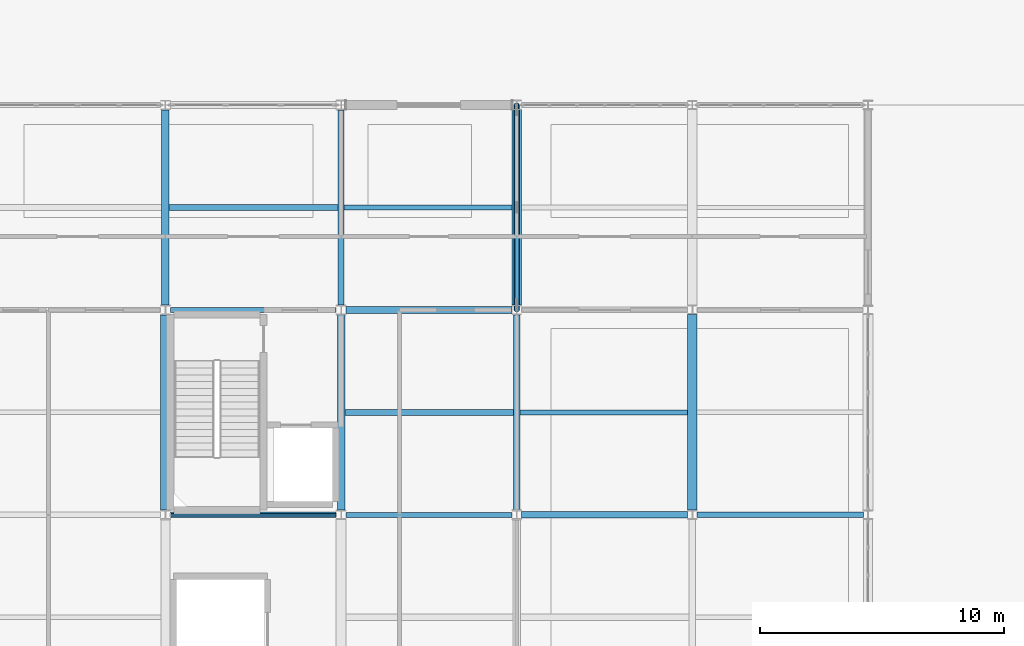
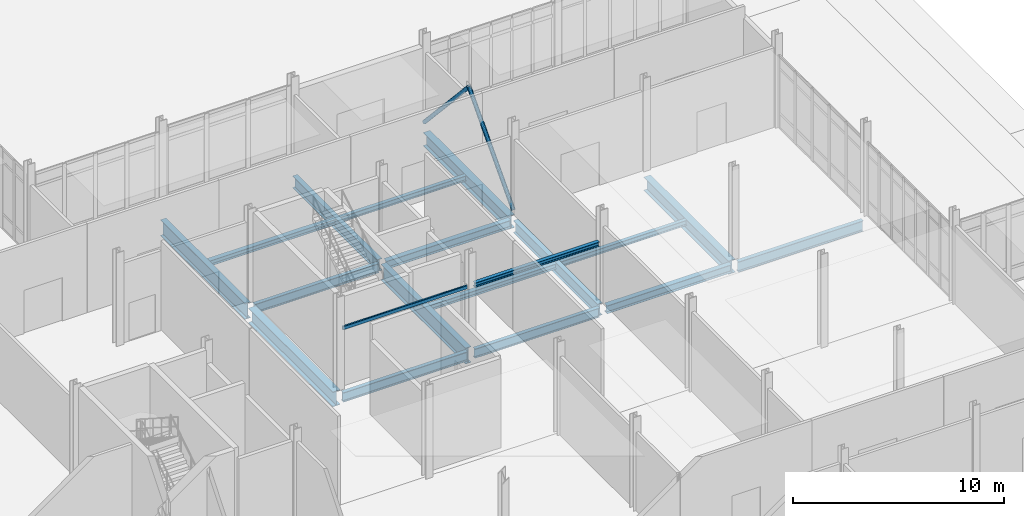
# One storey, part 123 of 229: 19 beams, 2 members.
"""IFC4 building model written with IfcOpenShell, lengths in metres."""

from ifc_helpers import new_model, si_unit, direction, frame, origin, origin_2d, place, context, subcontext, project, spatial, hollow_rectangle, hollow_circle, i_section, extrude, material, material_profile, profile_set, type_object, element, save


model = new_model("IFC4")

# Units and contexts
model_context = context("Model", 3, precision=1e-05, world=origin(), true_north=direction((0.0, 1.0)))
body_context = subcontext(model_context, "Body", "Model", "MODEL_VIEW")
ifc_project = project(units=[si_unit("LENGTHUNIT", "METRE"), si_unit("AREAUNIT", "SQUARE_METRE"), si_unit("VOLUMEUNIT", "CUBIC_METRE"), si_unit("PLANEANGLEUNIT", "RADIAN"), si_unit("MASSUNIT", "GRAM", prefix="KILO")], contexts=[model_context])

# Site, building, storey
site_placement = place(None, origin())
site = spatial("IfcSite", under=ifc_project, at=site_placement, CompositionType="ELEMENT")
building_placement = place(site_placement, origin())
building = spatial("IfcBuilding", under=site, at=building_placement, Name="Calvrana Isthmian Art Gallery", CompositionType="ELEMENT")
storey_placement = place(building_placement, origin())
storey = spatial("IfcBuildingStorey", under=building, at=storey_placement, Name="L00", CompositionType="ELEMENT", Elevation=0.0)

# Beams
ifc_material_1 = material(Name="Steel ASTM A992 Gr 50", Category="steel")
ifc_material_profile_1 = material_profile(ifc_material_1, i_section(OverallWidth=0.279052734375, OverallDepth=0.4619140625, WebThickness=0.0107421875, FlangeThickness=0.017333984375, FilletRadius=0.02001953125, at=origin_2d()), Name="W18X76")
ifc_profile_set_1 = profile_set([ifc_material_profile_1], Name="Steel ASTM A992 Gr 50")
beam_type_1 = type_object("IfcBeamType", Name="BM-G-W18X76", PredefinedType="BEAM", material=ifc_profile_set_1)
beam_1_placement = place(storey_placement, frame((141.802001953125, 30.0, -0.51611328125), z_axis=(1.0, 0.0, 0.0), x_axis=(0.0, 1.0, 0.0)))
element("IfcBeam", 1, at=beam_1_placement, inside=storey, type_object=beam_type_1, Name="Girder X L00 19-20/E", PredefinedType="BEAM", context=body_context, shape_type="SweptSolid", body=[
    extrude(i_section(OverallWidth=0.279052734375, OverallDepth=0.4619140625, WebThickness=0.0107421875, FlangeThickness=0.017333984375, FilletRadius=0.02001953125, at=origin_2d()), origin(), (0.0, 0.0, 1.0), 6.801025390625),
])
beam_2_placement = place(storey_placement, frame((134.599609375, 38.39990234375, -0.51611328125), z_axis=(1.0, 0.0, 0.0), x_axis=(0.0, 1.0, 0.0)))
element("IfcBeam", 2, at=beam_2_placement, inside=storey, type_object=beam_type_1, Name="Girder X L00 18-19/F", PredefinedType="BEAM", context=body_context, shape_type="SweptSolid", body=[
    extrude(i_section(OverallWidth=0.279052734375, OverallDepth=0.4619140625, WebThickness=0.0107421875, FlangeThickness=0.017333984375, FilletRadius=0.02001953125, at=origin_2d()), origin(), (0.0, 0.0, 1.0), 6.79736328125),
])
ifc_material_profile_2 = material_profile(ifc_material_1, i_section(OverallWidth=0.208984375, OverallDepth=0.532958984375, WebThickness=0.01025390625, FlangeThickness=0.015625, FilletRadius=0.02099609375, at=origin_2d()), Name="W21X62")
ifc_profile_set_2 = profile_set([ifc_material_profile_2], Name="Steel ASTM A992 Gr 50")
beam_type_2 = type_object("IfcBeamType", Name="BM-G-W21X62", PredefinedType="BEAM", material=ifc_profile_set_2)
for number, where, z_axis, x_axis, name in (
    (3, (134.599609375, 30.0, -0.551513671875), (1.0, 0.0, 0.0), (0.0, 1.0, 0.0), "Girder X L00 18-19/E"),
    (4, (127.402099609375, 38.39990234375, -0.551513671875), (1.0, 0.0, 0.0), (0.0, 1.0, 0.0), "Girder X L00 17-18/F"),
):
    element("IfcBeam", number, at=place(storey_placement, frame(where, z_axis=z_axis, x_axis=x_axis)), inside=storey, type_object=beam_type_2, Name=name, PredefinedType="BEAM", context=body_context, shape_type="SweptSolid", body=[
        extrude(i_section(OverallWidth=0.208984375, OverallDepth=0.532958984375, WebThickness=0.01025390625, FlangeThickness=0.015625, FilletRadius=0.02099609375, at=origin_2d()), origin(), (0.0, 0.0, 1.0), 6.79833984375),
    ])
ifc_material_profile_3 = material_profile(ifc_material_1, i_section(OverallWidth=0.214111328125, OverallDepth=0.549072265625, WebThickness=0.0146484375, FlangeThickness=0.023681640625, FilletRadius=0.02099609375, at=origin_2d()), Name="W21X93")
ifc_profile_set_3 = profile_set([ifc_material_profile_3], Name="Steel ASTM A992 Gr 50")
beam_type_3 = type_object("IfcBeamType", Name="BM-G-W21X93", PredefinedType="BEAM", material=ifc_profile_set_3)
beam_3_placement = place(storey_placement, frame((127.400390625, 30.0, -0.5595703125), z_axis=(1.0, 0.0, 0.0), x_axis=(0.0, 1.0, 0.0)))
element("IfcBeam", 5, at=beam_3_placement, inside=storey, type_object=beam_type_3, Name="Girder X L00 17-18/E", PredefinedType="BEAM", context=body_context, shape_type="SweptSolid", body=[
    extrude(i_section(OverallWidth=0.214111328125, OverallDepth=0.549072265625, WebThickness=0.0146484375, FlangeThickness=0.023681640625, FilletRadius=0.02099609375, at=origin_2d()), origin(), (0.0, 0.0, 1.0), 6.800048828125),
])
ifc_material_profile_4 = material_profile(ifc_material_1, i_section(OverallWidth=0.22802734375, OverallDepth=0.60693359375, WebThickness=0.01123046875, FlangeThickness=0.017333984375, FilletRadius=0.02197265625, at=origin_2d()), Name="W24X76")
ifc_profile_set_4 = profile_set([ifc_material_profile_4], Name="Steel ASTM A992 Gr 50")
beam_type_4 = type_object("IfcBeamType", Name="BM-G-W24X76", PredefinedType="BEAM", material=ifc_profile_set_4)
beam_4_placement = place(storey_placement, frame((148.9970703125, 30.0, -0.58837890625), z_axis=(1.0, 0.0, 0.0), x_axis=(0.0, 1.0, 0.0)))
element("IfcBeam", 6, at=beam_4_placement, inside=storey, type_object=beam_type_4, Name="Girder X L00 20-21/E", PredefinedType="BEAM", context=body_context, shape_type="SweptSolid", body=[
    extrude(i_section(OverallWidth=0.22802734375, OverallDepth=0.60693359375, WebThickness=0.01123046875, FlangeThickness=0.017333984375, FilletRadius=0.02197265625, at=origin_2d()), origin(), (0.0, 0.0, 1.0), 6.81640625),
])
ifc_material_profile_5 = material_profile(ifc_material_1, i_section(OverallWidth=0.257080078125, OverallDepth=0.693115234375, WebThickness=0.014404296875, FlangeThickness=0.023681640625, FilletRadius=0.02392578125, at=origin_2d()), Name="W27X114")
ifc_profile_set_5 = profile_set([ifc_material_profile_5], Name="Steel ASTM A992 Gr 50")
beam_type_5 = type_object("IfcBeamType", Name="BM-G-W27X114", PredefinedType="BEAM", material=ifc_profile_set_5)
beam_5_placement = place(storey_placement, frame((134.39990234375, 38.596923828125, -0.631591796875), z_axis=(0.0, 1.0, 0.0), x_axis=(-1.0, 0.0, 0.0)))
element("IfcBeam", 7, at=beam_5_placement, inside=storey, type_object=beam_type_5, Name="Girder Y L00 18/F-G", PredefinedType="BEAM", context=body_context, shape_type="SweptSolid", body=[
    extrude(i_section(OverallWidth=0.257080078125, OverallDepth=0.693115234375, WebThickness=0.014404296875, FlangeThickness=0.023681640625, FilletRadius=0.02392578125, at=origin_2d()), origin(), (0.0, 0.0, 1.0), 8.003662109375),
])
beam_6_placement = place(storey_placement, frame((141.60009765625, 30.202880859375, -0.631591796875), z_axis=(0.0, 1.0, 0.0), x_axis=(-1.0, 0.0, 0.0)))
element("IfcBeam", 8, at=beam_6_placement, inside=storey, type_object=beam_type_5, Name="Girder Y L00 19/E-F", PredefinedType="BEAM", context=body_context, shape_type="SweptSolid", body=[
    extrude(i_section(OverallWidth=0.257080078125, OverallDepth=0.693115234375, WebThickness=0.014404296875, FlangeThickness=0.023681640625, FilletRadius=0.02392578125, at=origin_2d()), origin(), (0.0, 0.0, 1.0), 7.988525390625),
])
ifc_material_profile_6 = material_profile(ifc_material_1, i_section(OverallWidth=0.381103515625, OverallDepth=0.77197265625, WebThickness=0.0166015625, FlangeThickness=0.027099609375, FilletRadius=0.02490234375, at=origin_2d()), Name="W30X173")
ifc_profile_set_6 = profile_set([ifc_material_profile_6], Name="Steel ASTM A992 Gr 50")
beam_type_6 = type_object("IfcBeamType", Name="BM-G-W30X173", PredefinedType="BEAM", material=ifc_profile_set_6)
beam_7_placement = place(storey_placement, frame((141.60009765625, 38.6083984375, -0.6708984375), z_axis=(0.0, 1.0, 0.0), x_axis=(-1.0, 0.0, 0.0)))
element("IfcBeam", 9, at=beam_7_placement, inside=storey, type_object=beam_type_6, Name="Girder Y L00 19/F-G", PredefinedType="BEAM", context=body_context, shape_type="SweptSolid", body=[
    extrude(i_section(OverallWidth=0.381103515625, OverallDepth=0.77197265625, WebThickness=0.0166015625, FlangeThickness=0.027099609375, FilletRadius=0.02490234375, at=origin_2d()), origin(), (0.0, 0.0, 1.0), 7.99853515625),
])
beam_8_placement = place(storey_placement, frame((148.800048828125, 30.18798828125, -0.6708984375), z_axis=(0.0, 1.0, 0.0), x_axis=(-1.0, 0.0, 0.0)))
element("IfcBeam", 10, at=beam_8_placement, inside=storey, type_object=beam_type_6, Name="Girder Y L00 20/E-F", PredefinedType="BEAM", context=body_context, shape_type="SweptSolid", body=[
    extrude(i_section(OverallWidth=0.381103515625, OverallDepth=0.77197265625, WebThickness=0.0166015625, FlangeThickness=0.027099609375, FilletRadius=0.02490234375, at=origin_2d()), origin(), (0.0, 0.0, 1.0), 8.021484375),
])
ifc_material_profile_7 = material_profile(ifc_material_1, i_section(OverallWidth=0.40087890625, OverallDepth=0.85595703125, WebThickness=0.018310546875, FlangeThickness=0.029296875, FilletRadius=0.02587890625, at=origin_2d()), Name="W33X201")
ifc_profile_set_7 = profile_set([ifc_material_profile_7], Name="Steel ASTM A992 Gr 50")
beam_type_7 = type_object("IfcBeamType", Name="BM-G-W33X201", PredefinedType="BEAM", material=ifc_profile_set_7)
beam_9_placement = place(storey_placement, frame((127.199951171875, 30.199462890625, -0.712890625), z_axis=(0.0, 1.0, 0.0), x_axis=(-1.0, 0.0, 0.0)))
element("IfcBeam", 11, at=beam_9_placement, inside=storey, type_object=beam_type_7, Name="Girder Y L00 17/E-F", PredefinedType="BEAM", context=body_context, shape_type="SweptSolid", body=[
    extrude(i_section(OverallWidth=0.40087890625, OverallDepth=0.85595703125, WebThickness=0.018310546875, FlangeThickness=0.029296875, FilletRadius=0.02587890625, at=origin_2d()), origin(), (0.0, 0.0, 1.0), 7.99755859375),
])
ifc_material_profile_8 = material_profile(ifc_material_1, i_section(OverallWidth=0.306884765625, OverallDepth=0.927001953125, WebThickness=0.019287109375, FlangeThickness=0.031982421875, FilletRadius=0.028076171875, at=origin_2d()), Name="W36X194")
ifc_profile_set_8 = profile_set([ifc_material_profile_8], Name="Steel ASTM A992 Gr 50")
beam_type_8 = type_object("IfcBeamType", Name="BM-G-W36X194", PredefinedType="BEAM", material=ifc_profile_set_8)
beam_10_placement = place(storey_placement, frame((127.199951171875, 38.60302734375, -0.74853515625), z_axis=(0.0, 1.0, 0.0), x_axis=(-1.0, 0.0, 0.0)))
element("IfcBeam", 12, at=beam_10_placement, inside=storey, type_object=beam_type_8, Name="Girder Y L00 17/F-G", PredefinedType="BEAM", context=body_context, shape_type="SweptSolid", body=[
    extrude(i_section(OverallWidth=0.306884765625, OverallDepth=0.927001953125, WebThickness=0.019287109375, FlangeThickness=0.031982421875, FilletRadius=0.028076171875, at=origin_2d()), origin(), (0.0, 0.0, 1.0), 7.988525390625),
])
beam_11_placement = place(storey_placement, frame((134.39990234375, 30.193115234375, -0.74853515625), z_axis=(0.0, 1.0, 0.0), x_axis=(-1.0, 0.0, 0.0)))
element("IfcBeam", 13, at=beam_11_placement, inside=storey, type_object=beam_type_8, Name="Girder Y L00 18/E-F", PredefinedType="BEAM", context=body_context, shape_type="SweptSolid", body=[
    extrude(i_section(OverallWidth=0.306884765625, OverallDepth=0.927001953125, WebThickness=0.019287109375, FlangeThickness=0.031982421875, FilletRadius=0.028076171875, at=origin_2d()), origin(), (0.0, 0.0, 1.0), 8.009765625),
])
ifc_material_profile_9 = material_profile(ifc_material_1, i_section(OverallWidth=0.202880859375, OverallDepth=0.302001953125, WebThickness=0.007568359375, FlangeThickness=0.01318359375, FilletRadius=0.01611328125, at=origin_2d()), Name="W12X40")
ifc_profile_set_9 = profile_set([ifc_material_profile_9], Name="Steel ASTM A992 Gr 50")
beam_type_9 = type_object("IfcBeamType", Name="BM-J-W12X40", PredefinedType="JOIST", material=ifc_profile_set_9)
beam_12_placement = place(storey_placement, frame((134.528564453125, 42.60009765625, -0.43603515625), z_axis=(1.0, 0.0, 0.0), x_axis=(0.0, 1.0, 0.0)))
element("IfcBeam", 14, at=beam_12_placement, inside=storey, type_object=beam_type_9, Name="Composite joist L00 bay 17-05", PredefinedType="JOIST", context=body_context, shape_type="SweptSolid", body=[
    extrude(i_section(OverallWidth=0.202880859375, OverallDepth=0.302001953125, WebThickness=0.007568359375, FlangeThickness=0.01318359375, FilletRadius=0.01611328125, at=origin_2d()), origin(), (0.0, 0.0, 1.0), 6.880859375),
])
beam_13_placement = place(storey_placement, frame((141.728515625, 34.199951171875, -0.43603515625), z_axis=(1.0, 0.0, 0.0), x_axis=(0.0, 1.0, 0.0)))
element("IfcBeam", 15, at=beam_13_placement, inside=storey, type_object=beam_type_9, Name="Composite joist L00 bay 18-04", PredefinedType="JOIST", context=body_context, shape_type="SweptSolid", body=[
    extrude(i_section(OverallWidth=0.202880859375, OverallDepth=0.302001953125, WebThickness=0.007568359375, FlangeThickness=0.01318359375, FilletRadius=0.01611328125, at=origin_2d()), origin(), (0.0, 0.0, 1.0), 6.881103515625),
])
ifc_material_profile_10 = material_profile(ifc_material_1, i_section(OverallWidth=0.25390625, OverallDepth=0.306884765625, WebThickness=0.0087890625, FlangeThickness=0.0146484375, FilletRadius=0.01611328125, at=origin_2d()), Name="W12X53")
ifc_profile_set_10 = profile_set([ifc_material_profile_10], Name="Steel ASTM A992 Gr 50")
beam_type_10 = type_object("IfcBeamType", Name="BM-J-W12X53", PredefinedType="JOIST", material=ifc_profile_set_10)
for number, where, z_axis, x_axis, name in (
    (16, (127.353515625, 42.60009765625, -0.4384765625), (1.0, 0.0, 0.0), (0.0, 1.0, 0.0), "Composite joist L00 bay 16-05"),
    (17, (134.553466796875, 34.199951171875, -0.4384765625), (1.0, 0.0, 0.0), (0.0, 1.0, 0.0), "Composite joist L00 bay 17-04"),
):
    element("IfcBeam", number, at=place(storey_placement, frame(where, z_axis=z_axis, x_axis=x_axis)), inside=storey, type_object=beam_type_10, Name=name, PredefinedType="JOIST", context=body_context, shape_type="SweptSolid", body=[
        extrude(i_section(OverallWidth=0.25390625, OverallDepth=0.306884765625, WebThickness=0.0087890625, FlangeThickness=0.0146484375, FilletRadius=0.01611328125, at=origin_2d()), origin(), (0.0, 0.0, 1.0), 6.91796875),
    ])
ifc_material_2 = material(Name="Steel ASTM A500 Gr C", Category="steel")
ifc_material_profile_11 = material_profile(ifc_material_2, hollow_rectangle(XDim=0.1015625, YDim=0.203125, WallThickness=0.009521484375, OuterFilletRadius=0.01904296875, at=origin_2d()), Name="HSS203X102X9.5")
ifc_profile_set_11 = profile_set([ifc_material_profile_11], Name="Steel ASTM A500 Gr C")
beam_type_11 = type_object("IfcBeamType", Name="BM-LN-HSS203", PredefinedType="LINTEL", material=ifc_profile_set_11)
beam_14_placement = place(storey_placement, frame((127.402099609375, 30.0, 3.39990234375), z_axis=(1.0, 0.0, 0.0), x_axis=(0.0, 1.0, 0.0)))
element("IfcBeam", 18, at=beam_14_placement, inside=storey, type_object=beam_type_11, Name="Portal lintel beam L00-03", PredefinedType="LINTEL", context=body_context, shape_type="SweptSolid", body=[
    extrude(hollow_rectangle(XDim=0.1015625, YDim=0.203125, WallThickness=0.009521484375, OuterFilletRadius=0.01904296875, at=origin_2d()), origin(), (0.0, 0.0, 1.0), 6.79833984375),
])
ifc_material_profile_12 = material_profile(ifc_material_1, i_section(OverallWidth=0.2041015625, OverallDepth=0.257080078125, WebThickness=0.0087890625, FlangeThickness=0.015625, FilletRadius=0.014892578125, at=origin_2d()), Name="W10X45")
ifc_profile_set_12 = profile_set([ifc_material_profile_12], Name="Steel ASTM A992 Gr 50")
beam_type_12 = type_object("IfcBeamType", Name="BM-LN-W10X45", PredefinedType="LINTEL", material=ifc_profile_set_12)
beam_15_placement = place(storey_placement, frame((134.599609375, 30.0, 3.39990234375), z_axis=(1.0, 0.0, 0.0), x_axis=(0.0, 1.0, 0.0)))
element("IfcBeam", 19, at=beam_15_placement, inside=storey, type_object=beam_type_12, Name="Portal lintel beam L00-04", PredefinedType="LINTEL", context=body_context, shape_type="SweptSolid", body=[
    extrude(i_section(OverallWidth=0.2041015625, OverallDepth=0.257080078125, WebThickness=0.0087890625, FlangeThickness=0.015625, FilletRadius=0.014892578125, at=origin_2d()), origin(), (0.0, 0.0, 1.0), 6.79736328125),
])

# Members
ifc_material_profile_13 = material_profile(ifc_material_2, hollow_circle(Radius=0.109619140625, WallThickness=0.0126953125, at=origin_2d()), Name="HSS219.1X12.7")
ifc_profile_set_13 = profile_set([ifc_material_profile_13], Name="Steel ASTM A500 Gr C")
member_type = type_object("IfcMemberType", Name="MB-BR-CHS219", PredefinedType="BRACE", material=ifc_profile_set_13)
for number, where, z_axis, x_axis, name in (
    (20, (141.60009765625, 38.39990234375, 0.14990234375), (0.0, 0.676116049526, 0.736795146275), (-1.0, 0.0, 0.0), "Chevron lateral brace L00-7A"),
    (21, (141.60009765625, 46.800048828125, 0.14990234375), (0.0, -0.676094714035, 0.736814724102), (1.0, 0.0, 0.0), "Chevron lateral brace L00-7B"),
):
    element("IfcMember", number, at=place(storey_placement, frame(where, z_axis=z_axis, x_axis=x_axis)), inside=storey, type_object=member_type, Name=name, PredefinedType="BRACE", context=body_context, shape_type="SweptSolid", body=[
        extrude(hollow_circle(Radius=0.109619140625, WallThickness=0.0126953125, at=origin_2d()), origin(), (0.0, 0.0, 1.0), 6.212158203125),
    ])

save(model, "model.ifc")
